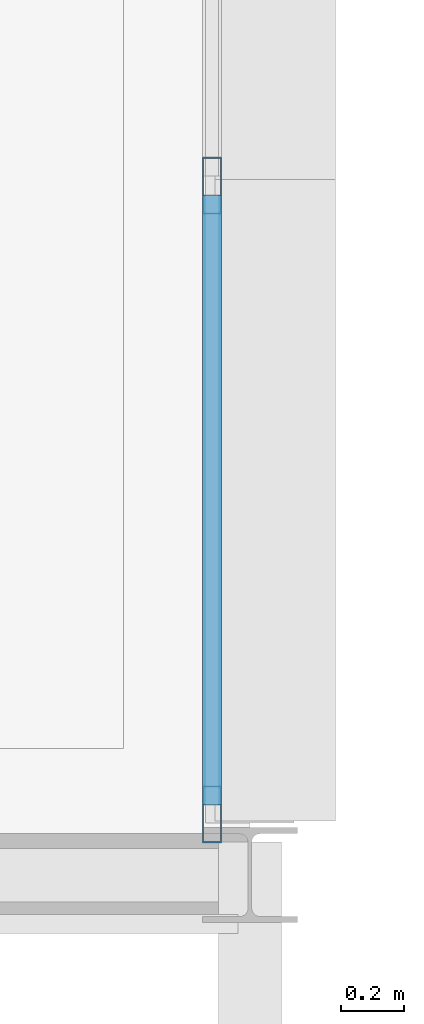
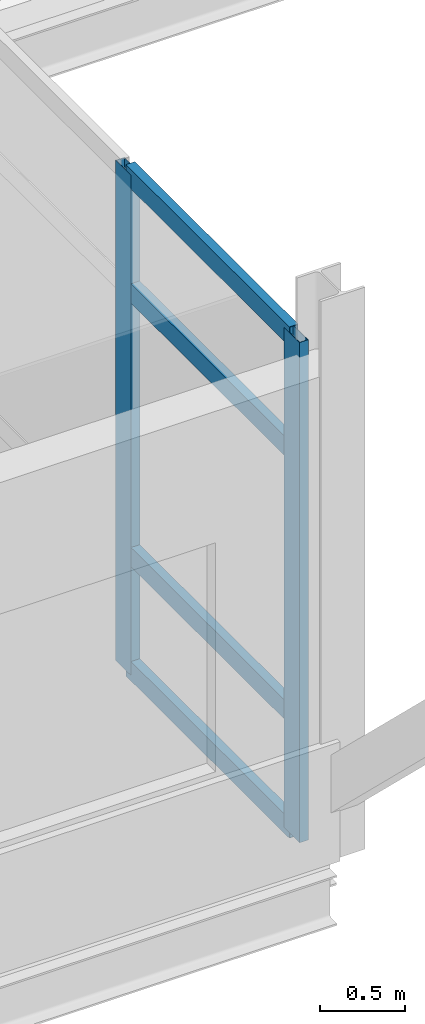
# One storey, part 9 of 57: 6 members, 1 element without a shape of its own.
"""IFC4 building model written with IfcOpenShell, lengths in metres."""

from ifc_helpers import new_model, si_unit, direction, frame, origin, origin_2d, place, context, subcontext, project, spatial, hollow_rectangle, extrude, material, material_profile, profile_set, type_object, element, aggregate, save


model = new_model("IFC4")

# Units and contexts
model_context = context("Model", 3, precision=1e-05, world=origin(), true_north=direction((0.0, 1.0)))
body_context = subcontext(model_context, "Body", "Model", "MODEL_VIEW")
ifc_project = project(units=[si_unit("LENGTHUNIT", "METRE"), si_unit("AREAUNIT", "SQUARE_METRE"), si_unit("VOLUMEUNIT", "CUBIC_METRE"), si_unit("PLANEANGLEUNIT", "RADIAN"), si_unit("MASSUNIT", "GRAM", prefix="KILO")], contexts=[model_context])

# Site, building, storey
site_placement = place(None, origin())
site = spatial("IfcSite", under=ifc_project, at=site_placement, CompositionType="ELEMENT")
building_placement = place(site_placement, origin())
building = spatial("IfcBuilding", under=site, at=building_placement, Name="Mersafa Astral City Hall", CompositionType="ELEMENT")
storey_placement = place(building_placement, frame((0.0, 0.0, 26.10009765625)))
storey = spatial("IfcBuildingStorey", under=building, at=storey_placement, Name="L06", CompositionType="ELEMENT", Elevation=26.10009765625)

# Curtain wall, members
ifc_material = material(Name="Anodised bronze aluminium framing", Category="aluminium")
curtain_wall_type = type_object("IfcCurtainWallType", Name="ENV-CW-6", PredefinedType="USERDEFINED", material=ifc_material)
curtain_wall_placement = place(storey_placement, origin())
curtain_wall = element("IfcCurtainWall", 1, at=curtain_wall_placement, inside=storey, type_object=curtain_wall_type, Name="L06 Unitised solar curtain wall 263", ObjectType="UNITISED CURTAIN WALL", PredefinedType="USERDEFINED")
ifc_material_profile_1 = material_profile(ifc_material, hollow_rectangle(XDim=0.06005859375, YDim=0.179931640625, WallThickness=0.00390625, at=origin_2d()), Name="RHS 60x180x4")
ifc_profile_set_1 = profile_set([ifc_material_profile_1], Name="Anodised bronze aluminium framing")
member_type_1 = type_object("IfcMemberType", Name="ENV-CW-MUL-1", PredefinedType="MULLION", material=ifc_profile_set_1)
member_1_placement = place(storey_placement, frame((67.080078125, 109.39208984375, -0.002197265625), z_axis=(0.0, 0.0, 1.0), x_axis=(-1.0, 0.0, 0.0)))
member_1 = element("IfcMember", 2, at=member_1_placement, type_object=member_type_1, Name="CW-6 mullion 1", PredefinedType="MULLION", context=body_context, shape_type="SweptSolid", body=[
    extrude(hollow_rectangle(XDim=0.06005859375, YDim=0.179931640625, WallThickness=0.00390625, at=origin_2d()), origin(), (0.0, 0.0, 1.0), 3.60400390625),
])
member_2_placement = place(storey_placement, frame((67.080078125, 111.381103515625, -0.002197265625), z_axis=(0.0, 0.0, 1.0), x_axis=(-1.0, 0.0, 0.0)))
member_2 = element("IfcMember", 3, at=member_2_placement, type_object=member_type_1, Name="CW-6 mullion 2", PredefinedType="MULLION", context=body_context, shape_type="SweptSolid", body=[
    extrude(hollow_rectangle(XDim=0.06005859375, YDim=0.179931640625, WallThickness=0.00390625, at=origin_2d()), origin(), (0.0, 0.0, 1.0), 3.60400390625),
])
ifc_material_profile_2 = material_profile(ifc_material, hollow_rectangle(XDim=0.06005859375, YDim=0.139892578125, WallThickness=0.00390625, at=origin_2d()), Name="RHS 60x140x4")
ifc_profile_set_2 = profile_set([ifc_material_profile_2], Name="Anodised bronze aluminium framing")
member_type_2 = type_object("IfcMemberType", Name="ENV-CW-TRN-1", PredefinedType="USERDEFINED", material=ifc_profile_set_2)
member_3_placement = place(storey_placement, frame((67.080078125, 109.422119140625, 0.02783203125), z_axis=(0.0, 1.0, 0.0), x_axis=(-1.0, 0.0, 0.0)))
member_3 = element("IfcMember", 4, at=member_3_placement, type_object=member_type_2, Name="CW-6 transom 1.1", ObjectType="TRANSOM", PredefinedType="USERDEFINED", context=body_context, shape_type="SweptSolid", body=[
    extrude(hollow_rectangle(XDim=0.06005859375, YDim=0.139892578125, WallThickness=0.00390625, at=origin_2d()), origin(), (0.0, 0.0, 1.0), 1.928955078125),
])
member_4_placement = place(storey_placement, frame((67.080078125, 109.422119140625, 0.849853515625), z_axis=(0.0, 1.0, 0.0), x_axis=(-1.0, 0.0, 0.0)))
member_4 = element("IfcMember", 5, at=member_4_placement, type_object=member_type_2, Name="CW-6 transom 1.2", ObjectType="TRANSOM", PredefinedType="USERDEFINED", context=body_context, shape_type="SweptSolid", body=[
    extrude(hollow_rectangle(XDim=0.06005859375, YDim=0.139892578125, WallThickness=0.00390625, at=origin_2d()), origin(), (0.0, 0.0, 1.0), 1.928955078125),
])
member_5_placement = place(storey_placement, frame((67.080078125, 109.422119140625, 2.75), z_axis=(0.0, 1.0, 0.0), x_axis=(-1.0, 0.0, 0.0)))
member_5 = element("IfcMember", 6, at=member_5_placement, type_object=member_type_2, Name="CW-6 transom 1.3", ObjectType="TRANSOM", PredefinedType="USERDEFINED", context=body_context, shape_type="SweptSolid", body=[
    extrude(hollow_rectangle(XDim=0.06005859375, YDim=0.139892578125, WallThickness=0.00390625, at=origin_2d()), origin(), (0.0, 0.0, 1.0), 1.928955078125),
])
member_6_placement = place(storey_placement, frame((67.080078125, 109.422119140625, 3.572021484375), z_axis=(0.0, 1.0, 0.0), x_axis=(-1.0, 0.0, 0.0)))
member_6 = element("IfcMember", 7, at=member_6_placement, type_object=member_type_2, Name="CW-6 transom 1.4", ObjectType="TRANSOM", PredefinedType="USERDEFINED", context=body_context, shape_type="SweptSolid", body=[
    extrude(hollow_rectangle(XDim=0.06005859375, YDim=0.139892578125, WallThickness=0.00390625, at=origin_2d()), origin(), (0.0, 0.0, 1.0), 1.928955078125),
])
aggregate(curtain_wall, [member_1, member_2, member_3, member_4, member_5, member_6])

save(model, "model.ifc")
